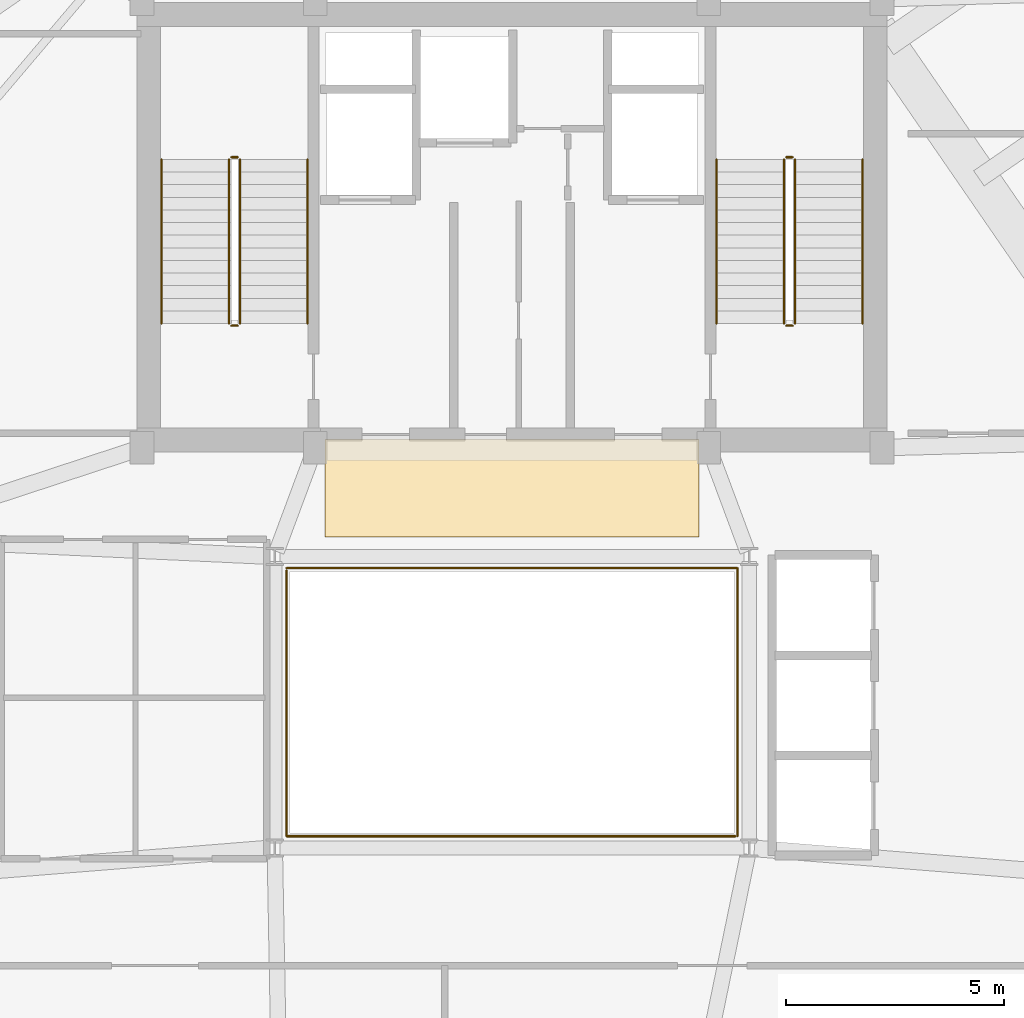
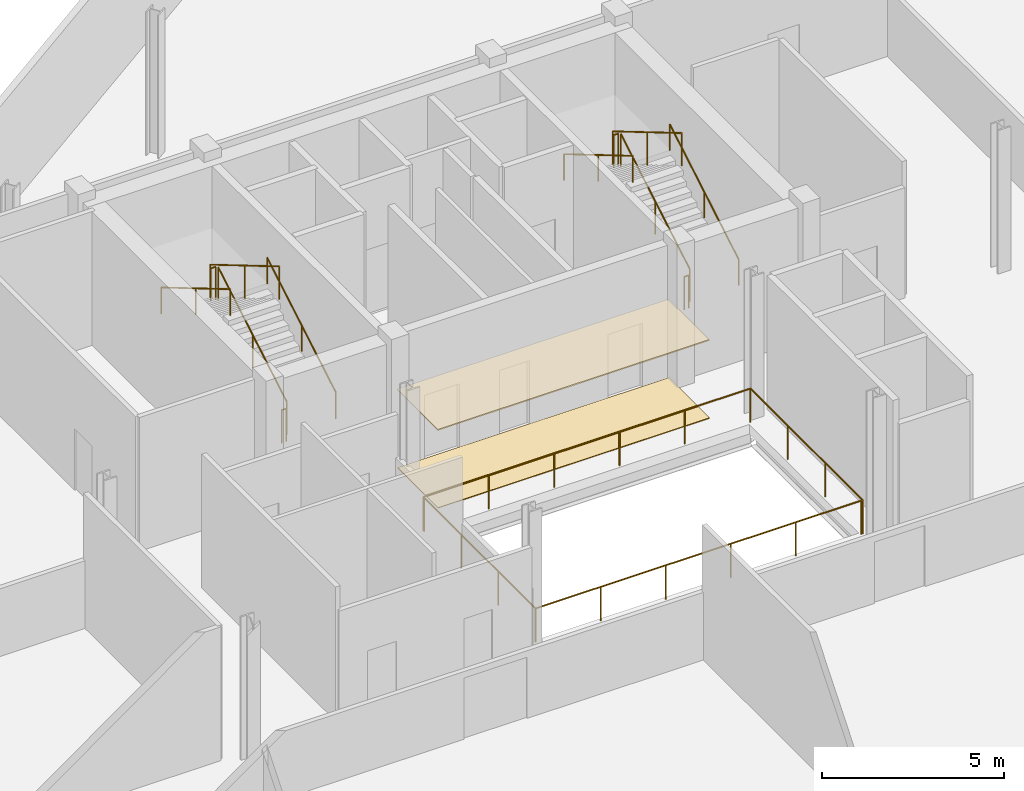
# One storey, part 15 of 15: 14 railings, 2 coverings.
"""IFC4 building model written with IfcOpenShell, lengths in metres."""

from ifc_helpers import new_model, si_unit, direction, frame, origin, origin_2d, place, context, subcontext, project, spatial, rectangle, circle, extrude, source, transform, mapped, material, layer, layer_set, type_object, element, save


model = new_model("IFC4")

# Units and contexts
model_context = context("Model", 3, precision=1e-05, world=origin(), true_north=direction((0.0, 1.0)))
body_context = subcontext(model_context, "Body", "Model", "MODEL_VIEW")
ifc_project = project(units=[si_unit("LENGTHUNIT", "METRE"), si_unit("AREAUNIT", "SQUARE_METRE"), si_unit("VOLUMEUNIT", "CUBIC_METRE"), si_unit("PLANEANGLEUNIT", "RADIAN"), si_unit("MASSUNIT", "GRAM", prefix="KILO")], contexts=[model_context])

# Site, building, storey
site_placement = place(None, origin())
site = spatial("IfcSite", under=ifc_project, at=site_placement, CompositionType="ELEMENT")
building_placement = place(site_placement, origin())
building = spatial("IfcBuilding", under=site, at=building_placement, Name="Varnelok Gate Tower", CompositionType="ELEMENT")
storey_placement = place(building_placement, frame((0.0, 0.0, 291.5)))
storey = spatial("IfcBuildingStorey", under=building, at=storey_placement, Name="L75", CompositionType="ELEMENT", Elevation=291.5)

# Railings
ifc_material_1 = material(Name="Tempered Laminated Balustrade Glass", Category="glass")
railing_type_1 = type_object("IfcRailingType", Name="RL-ATR-GUARD1150", PredefinedType="GUARDRAIL", material=ifc_material_1)
railing_1_placement = place(storey_placement, frame((34.02001953125, 25.929931640625, 0.0)))
element("IfcRailing", 1, at=railing_1_placement, inside=storey, type_object=railing_type_1, Name="L75 Internal Atrium South-West Guardrail", PredefinedType="GUARDRAIL", context=body_context, shape_type="SweptSolid", body=[
    extrude(circle(Radius=0.02392578125, at=origin_2d()), frame((0.0, 0.0, 1.1259765625), z_axis=(0.0, -1.0, 0.0), x_axis=(1.0, 0.0, 0.0)), (0.0, 0.0, 1.0), 6.10986328125),
    extrude(circle(Radius=0.02392578125, at=origin_2d()), frame((0.0, -6.10986328125, 1.1259765625), z_axis=(1.0, 0.0, 0.0), x_axis=(0.0, 1.0, 0.0)), (0.0, 0.0, 1.0), 10.31005859375),
    extrude(circle(Radius=0.02099609375, at=origin_2d()), origin(), (0.0, 0.0, 1.0), 1.101806640625),
    extrude(circle(Radius=0.02099609375, at=origin_2d()), frame((0.0, -2.03662109375, 0.0)), (0.0, 0.0, 1.0), 1.101806640625),
    extrude(circle(Radius=0.02099609375, at=origin_2d()), frame((0.0, -4.0732421875, 0.0)), (0.0, 0.0, 1.0), 1.101806640625),
    extrude(circle(Radius=0.02099609375, at=origin_2d()), frame((0.0, -6.10986328125, 0.0)), (0.0, 0.0, 1.0), 1.101806640625),
    extrude(circle(Radius=0.02099609375, at=origin_2d()), frame((2.06201171875, -6.10986328125, 0.0)), (0.0, 0.0, 1.0), 1.101806640625),
    extrude(circle(Radius=0.02099609375, at=origin_2d()), frame((4.1240234375, -6.10986328125, 0.0)), (0.0, 0.0, 1.0), 1.101806640625),
    extrude(circle(Radius=0.02099609375, at=origin_2d()), frame((6.18603515625, -6.10986328125, 0.0)), (0.0, 0.0, 1.0), 1.101806640625),
    extrude(circle(Radius=0.02099609375, at=origin_2d()), frame((8.248046875, -6.10986328125, 0.0)), (0.0, 0.0, 1.0), 1.101806640625),
    extrude(circle(Radius=0.02099609375, at=origin_2d()), frame((10.31005859375, -6.10986328125, 0.0)), (0.0, 0.0, 1.0), 1.101806640625),
])
railing_2_placement = place(storey_placement, frame((44.3798828125, 19.820068359375, 0.0)))
element("IfcRailing", 2, at=railing_2_placement, inside=storey, type_object=railing_type_1, Name="L75 Internal Atrium North-East Guardrail", PredefinedType="GUARDRAIL", context=body_context, shape_type="SweptSolid", body=[
    extrude(circle(Radius=0.02392578125, at=origin_2d()), frame((0.0, 0.0, 1.1259765625), z_axis=(0.0, 1.0, 0.0), x_axis=(-1.0, 0.0, 0.0)), (0.0, 0.0, 1.0), 6.159912109375),
    extrude(circle(Radius=0.02392578125, at=origin_2d()), frame((0.0, 6.159912109375, 1.1259765625), z_axis=(-1.0, 0.0, 0.0), x_axis=(0.0, -1.0, 0.0)), (0.0, 0.0, 1.0), 10.35986328125),
    extrude(circle(Radius=0.02099609375, at=origin_2d()), origin(), (0.0, 0.0, 1.0), 1.101806640625),
    extrude(circle(Radius=0.02099609375, at=origin_2d()), frame((0.0, 2.05322265625, 0.0)), (0.0, 0.0, 1.0), 1.101806640625),
    extrude(circle(Radius=0.02099609375, at=origin_2d()), frame((0.0, 4.106689453125, 0.0)), (0.0, 0.0, 1.0), 1.101806640625),
    extrude(circle(Radius=0.02099609375, at=origin_2d()), frame((0.0, 6.159912109375, 0.0)), (0.0, 0.0, 1.0), 1.101806640625),
    extrude(circle(Radius=0.02099609375, at=origin_2d()), frame((-2.072021484375, 6.159912109375, 0.0)), (0.0, 0.0, 1.0), 1.101806640625),
    extrude(circle(Radius=0.02099609375, at=origin_2d()), frame((-4.14404296875, 6.159912109375, 0.0)), (0.0, 0.0, 1.0), 1.101806640625),
    extrude(circle(Radius=0.02099609375, at=origin_2d()), frame((-6.2158203125, 6.159912109375, 0.0)), (0.0, 0.0, 1.0), 1.101806640625),
    extrude(circle(Radius=0.02099609375, at=origin_2d()), frame((-8.287841796875, 6.159912109375, 0.0)), (0.0, 0.0, 1.0), 1.101806640625),
    extrude(circle(Radius=0.02099609375, at=origin_2d()), frame((-10.35986328125, 6.159912109375, 0.0)), (0.0, 0.0, 1.0), 1.101806640625),
])
ifc_material_2 = material(Name="Brushed Stainless Steel AISI 316", Category="steel")
railing_type_2 = type_object("IfcRailingType", Name="RL-HANDRAIL-900", PredefinedType="HANDRAIL", material=ifc_material_2)
railing_3_placement = place(storey_placement, frame((34.5, 31.60009765625, 0.17138671875)))
element("IfcRailing", 3, at=railing_3_placement, inside=storey, type_object=railing_type_2, Name="L75 ST-1 stair handrail 1", PredefinedType="HANDRAIL", context=body_context, shape_type="SweptSolid", body=[
    extrude(circle(Radius=0.02392578125, at=origin_2d()), frame((0.0, 0.0, 0.8759765625), z_axis=(0.0, 0.860848830602, 0.508860777473), x_axis=(-1.0, 0.0, 0.0)), (0.0, 0.0, 1.0), 4.37939453125),
    extrude(circle(Radius=0.02099609375, at=origin_2d()), origin(), (0.0, 0.0, 1.0), 0.851806640625),
    extrude(circle(Radius=0.02099609375, at=origin_2d()), frame((0.0, 1.885009765625, 1.1142578125)), (0.0, 0.0, 1.0), 0.851806640625),
    extrude(circle(Radius=0.02099609375, at=origin_2d()), frame((0.0, 3.77001953125, 2.228515625)), (0.0, 0.0, 1.0), 0.851806640625),
])
railing_4_placement = place(storey_placement, frame((31.14990234375, 35.3701171875, 2.571533203125)))
element("IfcRailing", 4, at=railing_4_placement, inside=storey, type_object=railing_type_2, Name="L75 ST-1 stair handrail 2", PredefinedType="HANDRAIL", context=body_context, shape_type="SweptSolid", body=[
    extrude(circle(Radius=0.02392578125, at=origin_2d()), frame((0.0, 0.0, 0.8759765625), z_axis=(0.0, -0.860848830602, 0.508860777473), x_axis=(1.0, 0.0, 0.0)), (0.0, 0.0, 1.0), 4.37939453125),
    extrude(circle(Radius=0.02099609375, at=origin_2d()), origin(), (0.0, 0.0, 1.0), 0.851806640625),
    extrude(circle(Radius=0.02099609375, at=origin_2d()), frame((0.0, -1.885009765625, 1.1142578125)), (0.0, 0.0, 1.0), 0.851806640625),
    extrude(circle(Radius=0.02099609375, at=origin_2d()), frame((0.0, -3.77001953125, 2.228515625)), (0.0, 0.0, 1.0), 0.851806640625),
])
railing_5_placement = place(storey_placement, frame((47.25, 31.60009765625, 0.17138671875)))
element("IfcRailing", 5, at=railing_5_placement, inside=storey, type_object=railing_type_2, Name="L75 ST-2 stair handrail 1", PredefinedType="HANDRAIL", context=body_context, shape_type="SweptSolid", body=[
    extrude(circle(Radius=0.02392578125, at=origin_2d()), frame((0.0, 0.0, 0.8759765625), z_axis=(0.0, 0.860848830602, 0.508860777473), x_axis=(-1.0, 0.0, 0.0)), (0.0, 0.0, 1.0), 4.37939453125),
    extrude(circle(Radius=0.02099609375, at=origin_2d()), origin(), (0.0, 0.0, 1.0), 0.851806640625),
    extrude(circle(Radius=0.02099609375, at=origin_2d()), frame((0.0, 1.885009765625, 1.1142578125)), (0.0, 0.0, 1.0), 0.851806640625),
    extrude(circle(Radius=0.02099609375, at=origin_2d()), frame((0.0, 3.77001953125, 2.228515625)), (0.0, 0.0, 1.0), 0.851806640625),
])
railing_6_placement = place(storey_placement, frame((43.89990234375, 35.3701171875, 2.571533203125)))
element("IfcRailing", 6, at=railing_6_placement, inside=storey, type_object=railing_type_2, Name="L75 ST-2 stair handrail 2", PredefinedType="HANDRAIL", context=body_context, shape_type="SweptSolid", body=[
    extrude(circle(Radius=0.02392578125, at=origin_2d()), frame((0.0, 0.0, 0.8759765625), z_axis=(0.0, -0.860848830602, 0.508860777473), x_axis=(1.0, 0.0, 0.0)), (0.0, 0.0, 1.0), 4.37939453125),
    extrude(circle(Radius=0.02099609375, at=origin_2d()), origin(), (0.0, 0.0, 1.0), 0.851806640625),
    extrude(circle(Radius=0.02099609375, at=origin_2d()), frame((0.0, -1.885009765625, 1.1142578125)), (0.0, 0.0, 1.0), 0.851806640625),
    extrude(circle(Radius=0.02099609375, at=origin_2d()), frame((0.0, -3.77001953125, 2.228515625)), (0.0, 0.0, 1.0), 0.851806640625),
])
ifc_material_3 = material(Name="Galvanized Steel Grade S350GD", Category="steel")
railing_type_3 = type_object("IfcRailingType", Name="RL-STAIR-GUARD1120", PredefinedType="GUARDRAIL", material=ifc_material_3)
railing_7_placement = place(storey_placement, frame((32.949951171875, 31.60009765625, 0.17138671875)))
element("IfcRailing", 7, at=railing_7_placement, inside=storey, type_object=railing_type_3, Name="L75 ST-1 stair guard 1", PredefinedType="GUARDRAIL", context=body_context, shape_type="SweptSolid", body=[
    extrude(circle(Radius=0.02392578125, at=origin_2d()), frame((0.0, 0.0, 1.09619140625), z_axis=(0.0, 0.860848830602, 0.508860777473), x_axis=(-1.0, 0.0, 0.0)), (0.0, 0.0, 1.0), 4.37939453125),
    extrude(circle(Radius=0.02099609375, at=origin_2d()), origin(), (0.0, 0.0, 1.0), 1.072021484375),
    extrude(circle(Radius=0.02099609375, at=origin_2d()), frame((0.0, 1.885009765625, 1.1142578125)), (0.0, 0.0, 1.0), 1.072021484375),
    extrude(circle(Radius=0.02099609375, at=origin_2d()), frame((0.0, 3.77001953125, 2.228515625)), (0.0, 0.0, 1.0), 1.072021484375),
])
railing_8_placement = place(storey_placement, frame((32.89990234375, 35.419921875, 2.39990234375)))
element("IfcRailing", 8, at=railing_8_placement, inside=storey, type_object=railing_type_3, Name="L75 ST-1 stair guard 2", PredefinedType="GUARDRAIL", context=body_context, shape_type="SweptSolid", body=[
    extrude(circle(Radius=0.02392578125, at=origin_2d()), frame((0.0, 0.0, 1.09619140625), z_axis=(-1.0, 0.0, 0.0), x_axis=(0.0, -1.0, 0.0)), (0.0, 0.0, 1.0), 0.14990234375),
    extrude(circle(Radius=0.02099609375, at=origin_2d()), origin(), (0.0, 0.0, 1.0), 1.072021484375),
    extrude(circle(Radius=0.02099609375, at=origin_2d()), frame((-0.14990234375, 0.0, 0.0)), (0.0, 0.0, 1.0), 1.072021484375),
])
railing_9_placement = place(storey_placement, frame((32.699951171875, 35.3701171875, 2.571533203125)))
element("IfcRailing", 9, at=railing_9_placement, inside=storey, type_object=railing_type_3, Name="L75 ST-1 stair guard 3", PredefinedType="GUARDRAIL", context=body_context, shape_type="SweptSolid", body=[
    extrude(circle(Radius=0.02392578125, at=origin_2d()), frame((0.0, 0.0, 1.09619140625), z_axis=(0.0, -0.860848830602, 0.508860777473), x_axis=(1.0, 0.0, 0.0)), (0.0, 0.0, 1.0), 4.37939453125),
    extrude(circle(Radius=0.02099609375, at=origin_2d()), origin(), (0.0, 0.0, 1.0), 1.072021484375),
    extrude(circle(Radius=0.02099609375, at=origin_2d()), frame((0.0, -1.885009765625, 1.1142578125)), (0.0, 0.0, 1.0), 1.072021484375),
    extrude(circle(Radius=0.02099609375, at=origin_2d()), frame((0.0, -3.77001953125, 2.228515625)), (0.0, 0.0, 1.0), 1.072021484375),
])
railing_10_placement = place(storey_placement, frame((32.89990234375, 31.550048828125, 0.0)))
element("IfcRailing", 10, at=railing_10_placement, inside=storey, type_object=railing_type_3, Name="L75 ST-1 stair guard 4", PredefinedType="GUARDRAIL", context=body_context, shape_type="SweptSolid", body=[
    extrude(circle(Radius=0.02392578125, at=origin_2d()), frame((0.0, 0.0, 1.09619140625), z_axis=(-1.0, 0.0, 0.0), x_axis=(0.0, -1.0, 0.0)), (0.0, 0.0, 1.0), 0.14990234375),
    extrude(circle(Radius=0.02099609375, at=origin_2d()), origin(), (0.0, 0.0, 1.0), 1.072021484375),
    extrude(circle(Radius=0.02099609375, at=origin_2d()), frame((-0.14990234375, 0.0, 0.0)), (0.0, 0.0, 1.0), 1.072021484375),
])
railing_11_placement = place(storey_placement, frame((45.699951171875, 31.60009765625, 0.17138671875)))
element("IfcRailing", 11, at=railing_11_placement, inside=storey, type_object=railing_type_3, Name="L75 ST-2 stair guard 1", PredefinedType="GUARDRAIL", context=body_context, shape_type="SweptSolid", body=[
    extrude(circle(Radius=0.02392578125, at=origin_2d()), frame((0.0, 0.0, 1.09619140625), z_axis=(0.0, 0.860848830602, 0.508860777473), x_axis=(-1.0, 0.0, 0.0)), (0.0, 0.0, 1.0), 4.37939453125),
    extrude(circle(Radius=0.02099609375, at=origin_2d()), origin(), (0.0, 0.0, 1.0), 1.072021484375),
    extrude(circle(Radius=0.02099609375, at=origin_2d()), frame((0.0, 1.885009765625, 1.1142578125)), (0.0, 0.0, 1.0), 1.072021484375),
    extrude(circle(Radius=0.02099609375, at=origin_2d()), frame((0.0, 3.77001953125, 2.228515625)), (0.0, 0.0, 1.0), 1.072021484375),
])
railing_12_placement = place(storey_placement, frame((45.64990234375, 35.419921875, 2.39990234375)))
element("IfcRailing", 12, at=railing_12_placement, inside=storey, type_object=railing_type_3, Name="L75 ST-2 stair guard 2", PredefinedType="GUARDRAIL", context=body_context, shape_type="SweptSolid", body=[
    extrude(circle(Radius=0.02392578125, at=origin_2d()), frame((0.0, 0.0, 1.09619140625), z_axis=(-1.0, 0.0, 0.0), x_axis=(0.0, -1.0, 0.0)), (0.0, 0.0, 1.0), 0.14990234375),
    extrude(circle(Radius=0.02099609375, at=origin_2d()), origin(), (0.0, 0.0, 1.0), 1.072021484375),
    extrude(circle(Radius=0.02099609375, at=origin_2d()), frame((-0.14990234375, 0.0, 0.0)), (0.0, 0.0, 1.0), 1.072021484375),
])
railing_13_placement = place(storey_placement, frame((45.449951171875, 35.3701171875, 2.571533203125)))
element("IfcRailing", 13, at=railing_13_placement, inside=storey, type_object=railing_type_3, Name="L75 ST-2 stair guard 3", PredefinedType="GUARDRAIL", context=body_context, shape_type="SweptSolid", body=[
    extrude(circle(Radius=0.02392578125, at=origin_2d()), frame((0.0, 0.0, 1.09619140625), z_axis=(0.0, -0.860848830602, 0.508860777473), x_axis=(1.0, 0.0, 0.0)), (0.0, 0.0, 1.0), 4.37939453125),
    extrude(circle(Radius=0.02099609375, at=origin_2d()), origin(), (0.0, 0.0, 1.0), 1.072021484375),
    extrude(circle(Radius=0.02099609375, at=origin_2d()), frame((0.0, -1.885009765625, 1.1142578125)), (0.0, 0.0, 1.0), 1.072021484375),
    extrude(circle(Radius=0.02099609375, at=origin_2d()), frame((0.0, -3.77001953125, 2.228515625)), (0.0, 0.0, 1.0), 1.072021484375),
])
railing_14_placement = place(storey_placement, frame((45.64990234375, 31.550048828125, 0.0)))
element("IfcRailing", 14, at=railing_14_placement, inside=storey, type_object=railing_type_3, Name="L75 ST-2 stair guard 4", PredefinedType="GUARDRAIL", context=body_context, shape_type="SweptSolid", body=[
    extrude(circle(Radius=0.02392578125, at=origin_2d()), frame((0.0, 0.0, 1.09619140625), z_axis=(-1.0, 0.0, 0.0), x_axis=(0.0, -1.0, 0.0)), (0.0, 0.0, 1.0), 0.14990234375),
    extrude(circle(Radius=0.02099609375, at=origin_2d()), origin(), (0.0, 0.0, 1.0), 1.072021484375),
    extrude(circle(Radius=0.02099609375, at=origin_2d()), frame((-0.14990234375, 0.0, 0.0)), (0.0, 0.0, 1.0), 1.072021484375),
])

# Coverings
ifc_material_4 = material(Name="Honed Travertine Stone Flooring", Category="masonry")
ifc_layer_1 = layer(ifc_material_4, 0.02490234375)
ifc_layer_set_1 = layer_set([ifc_layer_1], Name="Honed Travertine Stone Flooring")
covering_type_1 = type_object("IfcCoveringType", Name="COV-FLOR-STONE", PredefinedType="FLOORING", material=ifc_layer_set_1)
shared_shape_1 = source(origin(), body_context, "Body", "SweptSolid", [
    extrude(rectangle(XDim=8.60009765625, YDim=2.219970703125, at=origin_2d()), origin(), (0.0, 0.0, 1.0), 0.02490234375),
])
covering_1_placement = place(storey_placement, frame((39.199951171875, 27.800048828125, 0.0), z_axis=(0.0, 0.0, 1.0), x_axis=(1.0, 0.0, 0.0)))
element("IfcCovering", 15, at=covering_1_placement, inside=storey, type_object=covering_type_1, Name="L75 Core Gallery Stone Flooring", PredefinedType="FLOORING", context=body_context, shape_type="MappedRepresentation", body=[
    mapped(shared_shape_1, transform((0.0, 0.0, 0.0), scale=1.0)),
])
ifc_material_5 = material(Name="Mineral Fiber Acoustic Ceiling Tile")
ifc_layer_2 = layer(ifc_material_5, 0.0400390625)
ifc_layer_set_2 = layer_set([ifc_layer_2], Name="Mineral Fiber Acoustic Ceiling Tile")
covering_type_2 = type_object("IfcCoveringType", Name="COV-CEIL-ACOUST", PredefinedType="CEILING", material=ifc_layer_set_2)
shared_shape_2 = source(origin(), body_context, "Body", "SweptSolid", [
    extrude(rectangle(XDim=8.60009765625, YDim=2.239990234375, at=origin_2d()), origin(), (0.0, 0.0, 1.0), 0.0400390625),
])
covering_2_placement = place(storey_placement, frame((39.199951171875, 27.820068359375, 2.60009765625), z_axis=(0.0, 0.0, 1.0), x_axis=(1.0, 0.0, 0.0)))
element("IfcCovering", 16, at=covering_2_placement, inside=storey, type_object=covering_type_2, Name="L75 Core Gallery Acoustic Ceiling", PredefinedType="CEILING", context=body_context, shape_type="MappedRepresentation", body=[
    mapped(shared_shape_2, transform((0.0, 0.0, 0.0), scale=1.0)),
])

save(model, "model.ifc")
